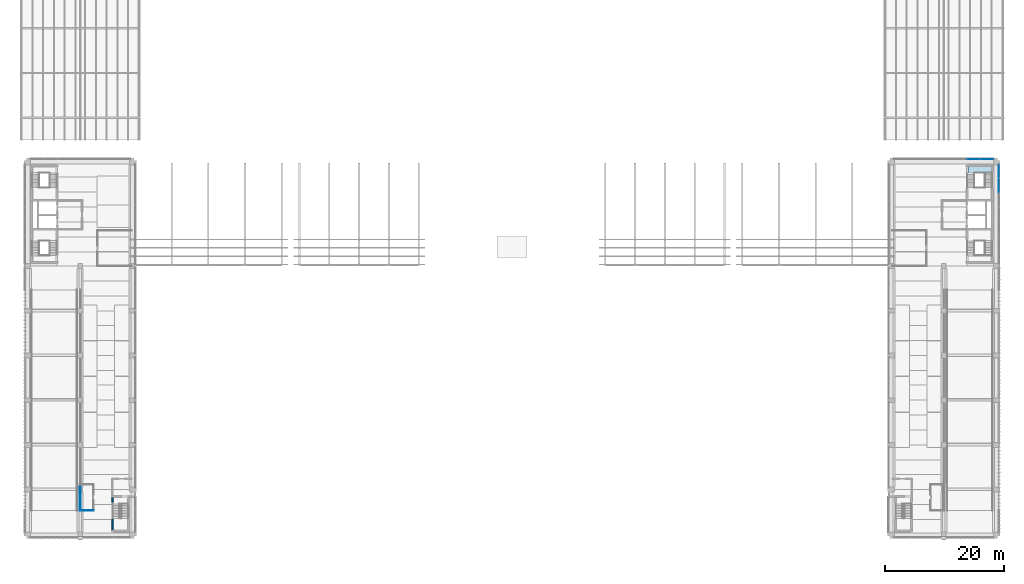
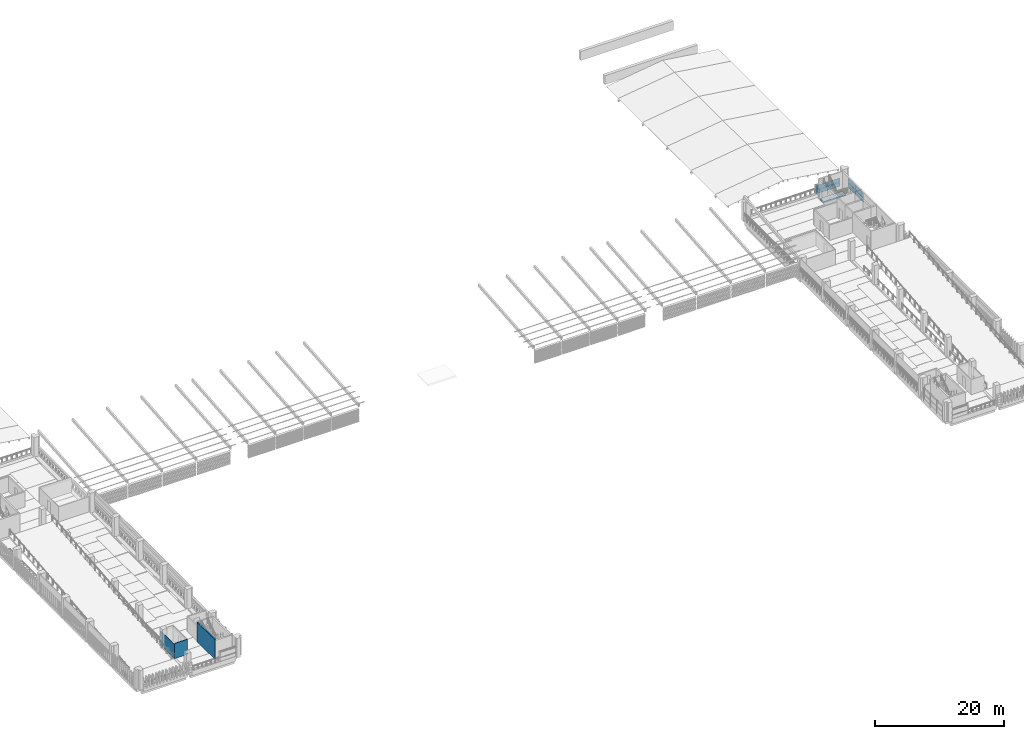
# One storey, part 23 of 52: 8 plates, 3 walls, 1 slab, 2 elements without a shape of their own.
"""IFC4 building model written with IfcOpenShell, lengths in metres."""

from ifc_helpers import new_model, si_unit, direction, frame, frame_2d, origin, origin_2d, place, context, subcontext, project, spatial, polyline, rectangle, outline, extrude, material, layer, layer_set, type_object, element, aggregate, save


model = new_model("IFC4")

# Units and contexts
model_context = context("Model", 3, precision=1e-05, world=origin(), true_north=direction((0.0, 1.0)))
body_context = subcontext(model_context, "Body", "Model", "MODEL_VIEW")
ifc_project = project(units=[si_unit("LENGTHUNIT", "METRE"), si_unit("AREAUNIT", "SQUARE_METRE"), si_unit("VOLUMEUNIT", "CUBIC_METRE"), si_unit("PLANEANGLEUNIT", "RADIAN"), si_unit("MASSUNIT", "GRAM", prefix="KILO")], contexts=[model_context])

# Site, building, storey
site_placement = place(None, origin())
site = spatial("IfcSite", under=ifc_project, at=site_placement, CompositionType="ELEMENT")
building_placement = place(site_placement, origin())
building = spatial("IfcBuilding", under=site, at=building_placement, Name="Cour d'Honneur Mobility Palace", CompositionType="ELEMENT")
storey_placement = place(building_placement, frame((0.0, 0.0, 23.0)))
storey = spatial("IfcBuildingStorey", under=building, at=storey_placement, Name="L06", CompositionType="ELEMENT", Elevation=23.0)

# Slab
ifc_material_1 = material(Name="Concrete C50", Category="concrete")
ifc_layer_1 = layer(ifc_material_1, 0.25)
ifc_layer_set_1 = layer_set([ifc_layer_1], Name="Concrete C50")
slab_type = type_object("IfcSlabType", Name="Cast-in-place Slab 250", PredefinedType="FLOOR", material=ifc_layer_set_1)
slab_placement = place(storey_placement, frame((0.0, 0.0, -0.25)))
element("IfcSlab", 1, at=slab_placement, inside=storey, type_object=slab_type, Name="Cast-in-place slab S1 L06 core", PredefinedType="FLOOR", context=body_context, shape_type="SweptSolid", body=[
    extrude(outline(polyline([(161.60009765625, 60.625), (157.625, 60.625), (157.625, 61.699951171875), (161.60009765625, 61.699951171875), (161.60009765625, 60.625)])), origin(), (0.0, 0.0, 1.0), 0.25),
])

# Curtain wall, plates
ifc_material_2 = material(Name="Aluminium and glass", Category="aluminium")
ifc_layer_2 = layer(ifc_material_2, 0.10009765625)
ifc_layer_set_2 = layer_set([ifc_layer_2], Name="Aluminium and glass")
curtain_wall_type = type_object("IfcCurtainWallType", Name="Curtain wall run", PredefinedType="NOTDEFINED", material=ifc_layer_set_2)
curtain_wall_1_placement = place(storey_placement, origin())
curtain_wall_1 = element("IfcCurtainWall", 2, at=curtain_wall_1_placement, inside=storey, type_object=curtain_wall_type, Name="Curtain wall CW-93", PredefinedType="NOTDEFINED")
ifc_material_3 = material(Name="Double glazing", Category="glass")
ifc_layer_3 = layer(ifc_material_3, 0.028076171875)
ifc_layer_set_3 = layer_set([ifc_layer_3], Name="Double glazing")
plate_type = type_object("IfcPlateType", Name="Curtain wall panel", PredefinedType="CURTAIN_PANEL", material=ifc_layer_set_3)
plate_1_placement = place(storey_placement, frame((162.85009765625, 58.5, 0.06005859375), z_axis=(0.0, 0.0, 1.0), x_axis=(0.0, 1.0, 0.0)))
plate_1 = element("IfcPlate", 3, at=plate_1_placement, type_object=plate_type, Name="CW-93 panel 6.1", PredefinedType="CURTAIN_PANEL", context=body_context, shape_type="SweptSolid", body=[
    extrude(rectangle(XDim=2.340087890625, YDim=0.028076171875, at=origin_2d()), origin(), (0.0, 0.0, 1.0), 0.860107421875),
])
plate_2_placement = place(storey_placement, frame((162.85009765625, 58.5, 0.97998046875), z_axis=(0.0, 0.0, 1.0), x_axis=(0.0, 1.0, 0.0)))
plate_2 = element("IfcPlate", 4, at=plate_2_placement, type_object=plate_type, Name="CW-93 panel 6.2", PredefinedType="CURTAIN_PANEL", context=body_context, shape_type="SweptSolid", body=[
    extrude(rectangle(XDim=2.340087890625, YDim=0.028076171875, at=origin_2d()), origin(), (0.0, 0.0, 1.0), 0.860107421875),
])
plate_3_placement = place(storey_placement, frame((162.85009765625, 60.885009765625, 0.06005859375), z_axis=(0.0, 0.0, 1.0), x_axis=(0.0, 1.0, 0.0)))
plate_3 = element("IfcPlate", 5, at=plate_3_placement, type_object=plate_type, Name="CW-93 panel 7.1", PredefinedType="CURTAIN_PANEL", context=body_context, shape_type="SweptSolid", body=[
    extrude(rectangle(XDim=2.31005859375, YDim=0.028076171875, at=origin_2d()), origin(), (0.0, 0.0, 1.0), 0.860107421875),
])
plate_4_placement = place(storey_placement, frame((162.85009765625, 60.885009765625, 0.97998046875), z_axis=(0.0, 0.0, 1.0), x_axis=(0.0, 1.0, 0.0)))
plate_4 = element("IfcPlate", 6, at=plate_4_placement, type_object=plate_type, Name="CW-93 panel 7.2", PredefinedType="CURTAIN_PANEL", context=body_context, shape_type="SweptSolid", body=[
    extrude(rectangle(XDim=2.31005859375, YDim=0.028076171875, at=origin_2d()), origin(), (0.0, 0.0, 1.0), 0.860107421875),
])
aggregate(curtain_wall_1, [plate_1, plate_2, plate_3, plate_4])

curtain_wall_2_placement = place(storey_placement, origin())
curtain_wall_2 = element("IfcCurtainWall", 7, at=curtain_wall_2_placement, inside=storey, type_object=curtain_wall_type, Name="Curtain wall CW-94", PredefinedType="NOTDEFINED")
plate_5_placement = place(storey_placement, frame((160.860107421875, 62.949951171875, 0.06005859375), z_axis=(0.0, 0.0, 1.0), x_axis=(-1.0, 0.0, 0.0)))
plate_5 = element("IfcPlate", 8, at=plate_5_placement, type_object=plate_type, Name="CW-94 panel 1.1", PredefinedType="CURTAIN_PANEL", context=body_context, shape_type="SweptSolid", body=[
    extrude(rectangle(XDim=2.159912109375, YDim=0.028076171875, at=origin_2d()), origin(), (0.0, 0.0, 1.0), 0.760009765625),
])
plate_6_placement = place(storey_placement, frame((160.860107421875, 62.949951171875, 0.8798828125), z_axis=(0.0, 0.0, 1.0), x_axis=(-1.0, 0.0, 0.0)))
plate_6 = element("IfcPlate", 9, at=plate_6_placement, type_object=plate_type, Name="CW-94 panel 1.2", PredefinedType="CURTAIN_PANEL", context=body_context, shape_type="SweptSolid", body=[
    extrude(rectangle(XDim=2.159912109375, YDim=0.028076171875, at=origin_2d()), origin(), (0.0, 0.0, 1.0), 0.760009765625),
])
plate_7_placement = place(storey_placement, frame((158.639892578125, 62.949951171875, 0.06005859375), z_axis=(0.0, 0.0, 1.0), x_axis=(-1.0, 0.0, 0.0)))
plate_7 = element("IfcPlate", 10, at=plate_7_placement, type_object=plate_type, Name="CW-94 panel 2.1", PredefinedType="CURTAIN_PANEL", context=body_context, shape_type="SweptSolid", body=[
    extrude(rectangle(XDim=2.159912109375, YDim=0.028076171875, at=origin_2d()), origin(), (0.0, 0.0, 1.0), 0.760009765625),
])
plate_8_placement = place(storey_placement, frame((158.639892578125, 62.949951171875, 0.8798828125), z_axis=(0.0, 0.0, 1.0), x_axis=(-1.0, 0.0, 0.0)))
plate_8 = element("IfcPlate", 11, at=plate_8_placement, type_object=plate_type, Name="CW-94 panel 2.2", PredefinedType="CURTAIN_PANEL", context=body_context, shape_type="SweptSolid", body=[
    extrude(rectangle(XDim=2.159912109375, YDim=0.028076171875, at=origin_2d()), origin(), (0.0, 0.0, 1.0), 0.760009765625),
])
aggregate(curtain_wall_2, [plate_5, plate_6, plate_7, plate_8])

# Walls
ifc_material_4 = material(Name="Gypsum plasterboard")
ifc_layer_4 = layer(ifc_material_4, 0.10009765625)
ifc_layer_set_4 = layer_set([ifc_layer_4], Name="Gypsum plasterboard")
wall_type_1 = type_object("IfcWallType", Name="Partition 100", PredefinedType="PARTITIONING", material=ifc_layer_set_4)
wall_1_placement = place(storey_placement, frame((8.64990234375, 4.0, 0.0), z_axis=(0.0, 0.0, 1.0), x_axis=(1.0, 0.0, 0.0)))
element("IfcWall", 12, at=wall_1_placement, inside=storey, type_object=wall_type_1, Name="Partition 001", PredefinedType="PARTITIONING", context=body_context, shape_type="SweptSolid", body=[
    extrude(rectangle(XDim=2.300048828125, YDim=0.10009765625, at=frame_2d((1.14990234375, 0.0))), origin(), (0.0, 0.0, 1.0), 2.8798828125),
])
ifc_material_5 = material(Name="Gypsum plasterboard")
ifc_layer_5 = layer(ifc_material_5, 0.10009765625)
ifc_layer_set_5 = layer_set([ifc_layer_5], Name="Gypsum plasterboard")
wall_type_2 = type_object("IfcWallType", Name="Partition 100 under beam 1100", PredefinedType="PARTITIONING", material=ifc_layer_set_5)
wall_2_placement = place(storey_placement, frame((8.699951171875, 8.300048828125, 0.0), z_axis=(0.0, 0.0, 1.0), x_axis=(0.0, -1.0, 0.0)))
element("IfcWall", 13, at=wall_2_placement, inside=storey, type_object=wall_type_2, Name="Partition 008", PredefinedType="PARTITIONING", context=body_context, shape_type="SweptSolid", body=[
    extrude(rectangle(XDim=4.25, YDim=0.10009765625, at=frame_2d((2.125, 0.0))), origin(), (0.0, 0.0, 1.0), 2.60009765625),
])
ifc_material_6 = material(Name="Concrete C50", Category="concrete")
ifc_layer_6 = layer(ifc_material_6, 0.25)
ifc_layer_set_6 = layer_set([ifc_layer_6], Name="Concrete C50")
wall_type_3 = type_object("IfcWallType", Name="Stair wall 250", PredefinedType="SHEAR", material=ifc_layer_set_6)
wall_3_placement = place(storey_placement, frame((14.10009765625, 0.699951171875, 0.0), z_axis=(0.0, 0.0, 1.0), x_axis=(0.0, 1.0, 0.0)))
element("IfcWall", 14, at=wall_3_placement, inside=storey, type_object=wall_type_3, Name="Stair wall WS-RW3 L06", PredefinedType="SHEAR", context=body_context, shape_type="SweptSolid", body=[
    extrude(rectangle(XDim=5.47509765625, YDim=0.25, at=frame_2d((2.737548828125, 0.0))), origin(), (0.0, 0.0, 1.0), 3.699951171875),
])

save(model, "model.ifc")
